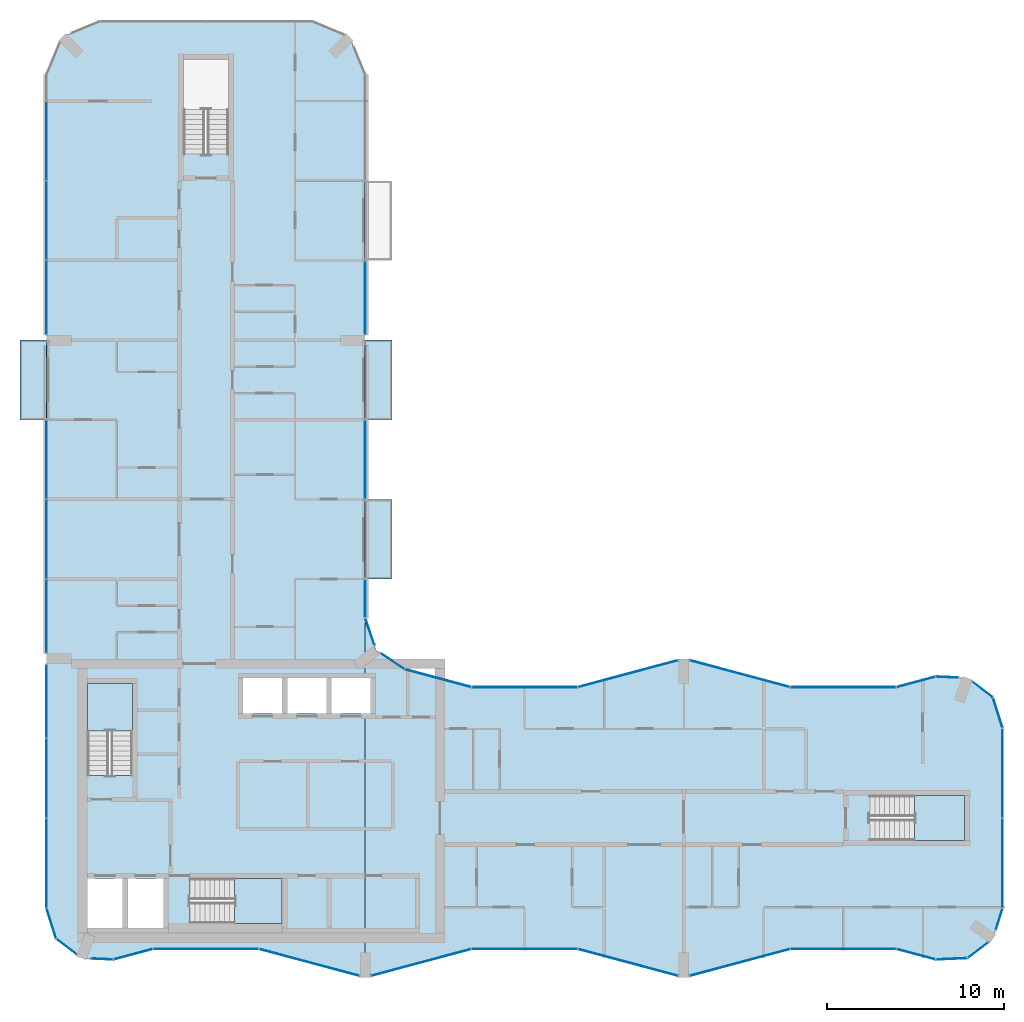
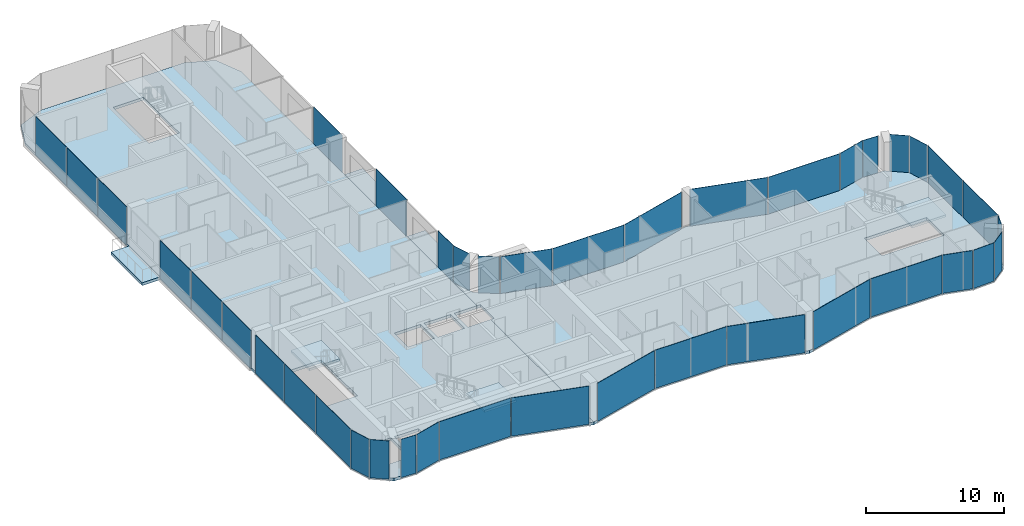
# One storey, part 8 of 15: 40 plates, 8 slabs, 36 elements without a shape of their own.
"""IFC4 building model written with IfcOpenShell, lengths in metres."""

from ifc_helpers import new_model, si_unit, direction, frame, origin, origin_2d, place, context, subcontext, project, spatial, polyline, rectangle, outline, extrude, material, layer, layer_set, type_object, element, aggregate, save


model = new_model("IFC4")

# Units and contexts
model_context = context("Model", 3, precision=1e-05, world=origin(), true_north=direction((0.0, 1.0)))
body_context = subcontext(model_context, "Body", "Model", "MODEL_VIEW")
ifc_project = project(units=[si_unit("LENGTHUNIT", "METRE"), si_unit("AREAUNIT", "SQUARE_METRE"), si_unit("VOLUMEUNIT", "CUBIC_METRE"), si_unit("PLANEANGLEUNIT", "RADIAN"), si_unit("MASSUNIT", "GRAM", prefix="KILO")], contexts=[model_context])

# Site, building, storey
site_placement = place(None, origin())
site = spatial("IfcSite", under=ifc_project, at=site_placement, CompositionType="ELEMENT")
building_placement = place(site_placement, origin())
building = spatial("IfcBuilding", under=site, at=building_placement, Name="Plateau Cross Towers", CompositionType="ELEMENT")
storey_placement = place(building_placement, frame((0.0, 0.0, 201.39990234375)))
storey = spatial("IfcBuildingStorey", under=building, at=storey_placement, Name="L52", CompositionType="ELEMENT", Elevation=201.39990234375)

# Slabs
ifc_material_1 = material(Name="Concrete C40/50", Category="concrete")
ifc_layer_1 = layer(ifc_material_1, 0.25)
ifc_layer_set_1 = layer_set([ifc_layer_1], Name="Concrete C40/50")
slab_type_1 = type_object("IfcSlabType", Name="Balcony slab 250", PredefinedType="FLOOR", material=ifc_layer_set_1)
slab_1_placement = place(storey_placement, frame((0.0, 0.0, -0.25)))
element("IfcSlab", 1, at=slab_1_placement, inside=storey, type_object=slab_type_1, Name="Balcony slab A-BAL-L52-01", PredefinedType="FLOOR", context=body_context, shape_type="SweptSolid", body=[
    extrude(outline(polyline([(0.0, 31.5), (0.0, 36.0), (-1.5, 36.0), (-1.5, 31.5), (0.0, 31.5)])), origin(), (0.0, 0.0, 1.0), 0.25),
])
slab_2_placement = place(storey_placement, frame((0.0, 0.0, -0.25)))
element("IfcSlab", 2, at=slab_2_placement, inside=storey, type_object=slab_type_1, Name="Balcony slab A-BAL-L52-02", PredefinedType="FLOOR", context=body_context, shape_type="SweptSolid", body=[
    extrude(outline(polyline([(19.5, 22.5), (19.5, 27.0), (18.0, 27.0), (18.0, 22.5), (19.5, 22.5)])), origin(), (0.0, 0.0, 1.0), 0.25),
])
slab_3_placement = place(storey_placement, frame((0.0, 0.0, -0.25)))
element("IfcSlab", 3, at=slab_3_placement, inside=storey, type_object=slab_type_1, Name="Balcony slab A-BAL-L52-03", PredefinedType="FLOOR", context=body_context, shape_type="SweptSolid", body=[
    extrude(outline(polyline([(19.5, 31.5), (19.5, 36.0), (18.0, 36.0), (18.0, 31.5), (19.5, 31.5)])), origin(), (0.0, 0.0, 1.0), 0.25),
])

# Curtain wall, plate
ifc_material_2 = material(Name="Dark low-iron glass", Category="glass")
ifc_layer_2 = layer(ifc_material_2, 0.239990234375)
ifc_layer_set_2 = layer_set([ifc_layer_2], Name="Dark low-iron glass")
curtain_wall_type_1 = type_object("IfcCurtainWallType", Name="Curtain wall flush unitised CW-B", PredefinedType="NOTDEFINED", material=ifc_layer_set_2)
curtain_wall_1_placement = place(storey_placement, origin())
curtain_wall_1 = element("IfcCurtainWall", 4, at=curtain_wall_1_placement, inside=storey, type_object=curtain_wall_type_1, Name="ENV/A/L52/A502_10", PredefinedType="NOTDEFINED")
ifc_layer_3 = layer(ifc_material_2, 0.031982421875)
ifc_layer_set_3 = layer_set([ifc_layer_3], Name="Dark low-iron glass")
plate_type_1 = type_object("IfcPlateType", Name="Glass panel 32 flush unitised", PredefinedType="CURTAIN_PANEL", material=ifc_layer_set_3)
plate_1_placement = place(storey_placement, frame((51.125, 1.05078125, -0.1298828125), z_axis=(0.0, 0.0, 1.0), x_axis=(0.999043701491, 0.043722791671, 0.0)))
plate_1 = element("IfcPlate", 5, at=plate_1_placement, type_object=plate_type_1, Name="CW-B panel 1", PredefinedType="CURTAIN_PANEL", context=body_context, shape_type="SweptSolid", body=[
    extrude(rectangle(XDim=1.744140625, YDim=0.031982421875, at=origin_2d()), origin(), (0.0, 0.0, 1.0), 3.3798828125),
])
aggregate(curtain_wall_1, [plate_1])

curtain_wall_2_placement = place(storey_placement, origin())
curtain_wall_2 = element("IfcCurtainWall", 6, at=curtain_wall_2_placement, inside=storey, type_object=curtain_wall_type_1, Name="ENV/A/L52/A520_11", PredefinedType="NOTDEFINED")
plate_2_placement = place(storey_placement, frame((52.60986328125, 1.5380859375, -0.1298828125), z_axis=(0.0, 0.0, 1.0), x_axis=(0.793315514529, 0.608810721331, 0.0)))
plate_2 = element("IfcPlate", 7, at=plate_2_placement, type_object=plate_type_1, Name="CW-B panel 1", PredefinedType="CURTAIN_PANEL", context=body_context, shape_type="SweptSolid", body=[
    extrude(rectangle(XDim=1.41162109375, YDim=0.031982421875, at=origin_2d()), origin(), (0.0, 0.0, 1.0), 3.3798828125),
])
aggregate(curtain_wall_2, [plate_2])

curtain_wall_3_placement = place(storey_placement, origin())
curtain_wall_3 = element("IfcCurtainWall", 8, at=curtain_wall_3_placement, inside=storey, type_object=curtain_wall_type_1, Name="ENV/A/L52/A536_27", PredefinedType="NOTDEFINED")
plate_3_placement = place(storey_placement, frame((53.805419921875, 3.292236328125, -0.1298828125), z_axis=(0.0, 0.0, 1.0), x_axis=(0.300686174994, 0.95372313811, 0.0)))
plate_3 = element("IfcPlate", 9, at=plate_3_placement, type_object=plate_type_1, Name="CW-B panel 1", PredefinedType="CURTAIN_PANEL", context=body_context, shape_type="SweptSolid", body=[
    extrude(rectangle(XDim=1.233642578125, YDim=0.031982421875, at=origin_2d()), origin(), (0.0, 0.0, 1.0), 3.3798828125),
])
aggregate(curtain_wall_3, [plate_3])

# Curtain wall, plates
curtain_wall_4_placement = place(storey_placement, origin())
curtain_wall_4 = element("IfcCurtainWall", 10, at=curtain_wall_4_placement, inside=storey, type_object=curtain_wall_type_1, Name="ENV/A/L52/A540_39", PredefinedType="NOTDEFINED")
plate_4_placement = place(storey_placement, frame((54.0, 6.45458984375, -0.1298828125), z_axis=(0.0, 0.0, 1.0), x_axis=(0.0, 1.0, 0.0)))
plate_4 = element("IfcPlate", 11, at=plate_4_placement, type_object=plate_type_1, Name="CW-B panel 1", PredefinedType="CURTAIN_PANEL", context=body_context, shape_type="SweptSolid", body=[
    extrude(rectangle(XDim=5.03076171875, YDim=0.031982421875, at=origin_2d()), origin(), (0.0, 0.0, 1.0), 3.3798828125),
])
plate_5_placement = place(storey_placement, frame((54.0, 11.54541015625, -0.1298828125), z_axis=(0.0, 0.0, 1.0), x_axis=(0.0, 1.0, 0.0)))
plate_5 = element("IfcPlate", 12, at=plate_5_placement, type_object=plate_type_1, Name="CW-B panel 2", PredefinedType="CURTAIN_PANEL", context=body_context, shape_type="SweptSolid", body=[
    extrude(rectangle(XDim=5.03076171875, YDim=0.031982421875, at=origin_2d()), origin(), (0.0, 0.0, 1.0), 3.3798828125),
])
aggregate(curtain_wall_4, [plate_4, plate_5])

# Curtain wall, plate
curtain_wall_5_placement = place(storey_placement, origin())
curtain_wall_5 = element("IfcCurtainWall", 13, at=curtain_wall_5_placement, inside=storey, type_object=curtain_wall_type_1, Name="ENV/A/L52/A540_141", PredefinedType="NOTDEFINED")
plate_6_placement = place(storey_placement, frame((53.728759765625, 14.951171875, -0.1298828125), z_axis=(0.0, 0.0, 1.0), x_axis=(-0.300686174994, 0.95372313811, 0.0)))
plate_6 = element("IfcPlate", 14, at=plate_6_placement, type_object=plate_type_1, Name="CW-B panel 1", PredefinedType="CURTAIN_PANEL", context=body_context, shape_type="SweptSolid", body=[
    extrude(rectangle(XDim=1.744140625, YDim=0.031982421875, at=origin_2d()), origin(), (0.0, 0.0, 1.0), 3.3798828125),
])
aggregate(curtain_wall_5, [plate_6])

curtain_wall_6_placement = place(storey_placement, origin())
curtain_wall_6 = element("IfcCurtainWall", 15, at=curtain_wall_6_placement, inside=storey, type_object=curtain_wall_type_1, Name="ENV/A/L52/A535_158", PredefinedType="NOTDEFINED")
plate_7_placement = place(storey_placement, frame((52.873779296875, 16.25927734375, -0.1298828125), z_axis=(0.0, 0.0, 1.0), x_axis=(-0.793315514529, 0.608810721331, 0.0)))
plate_7 = element("IfcPlate", 16, at=plate_7_placement, type_object=plate_type_1, Name="CW-B panel 1", PredefinedType="CURTAIN_PANEL", context=body_context, shape_type="SweptSolid", body=[
    extrude(rectangle(XDim=1.41162109375, YDim=0.031982421875, at=origin_2d()), origin(), (0.0, 0.0, 1.0), 3.3798828125),
])
aggregate(curtain_wall_6, [plate_7])

curtain_wall_7_placement = place(storey_placement, origin())
curtain_wall_7 = element("IfcCurtainWall", 17, at=curtain_wall_7_placement, inside=storey, type_object=curtain_wall_type_1, Name="ENV/A/L52/A515_169", PredefinedType="NOTDEFINED")
plate_8_placement = place(storey_placement, frame((50.8701171875, 16.96044921875, -0.1298828125), z_axis=(0.0, 0.0, 1.0), x_axis=(-0.999043701491, 0.043722791671, 0.0)))
plate_8 = element("IfcPlate", 18, at=plate_8_placement, type_object=plate_type_1, Name="CW-B panel 1", PredefinedType="CURTAIN_PANEL", context=body_context, shape_type="SweptSolid", body=[
    extrude(rectangle(XDim=1.233642578125, YDim=0.031982421875, at=origin_2d()), origin(), (0.0, 0.0, 1.0), 3.3798828125),
])
aggregate(curtain_wall_7, [plate_8])

curtain_wall_8_placement = place(storey_placement, origin())
curtain_wall_8 = element("IfcCurtainWall", 19, at=curtain_wall_8_placement, inside=storey, type_object=curtain_wall_type_1, Name="ENV/A/L52/A202_174", PredefinedType="NOTDEFINED")
plate_9_placement = place(storey_placement, frame((19.546630859375, 17.856689453125, -0.1298828125), z_axis=(0.0, 0.0, 1.0), x_axis=(-0.831521253329, 0.555492938984, 0.0)))
plate_9 = element("IfcPlate", 20, at=plate_9_placement, type_object=plate_type_1, Name="CW-B panel 1", PredefinedType="CURTAIN_PANEL", context=body_context, shape_type="SweptSolid", body=[
    extrude(rectangle(XDim=1.56884765625, YDim=0.031982421875, at=origin_2d()), origin(), (0.0, 0.0, 1.0), 3.3798828125),
])
aggregate(curtain_wall_8, [plate_9])

curtain_wall_9_placement = place(storey_placement, origin())
curtain_wall_9 = element("IfcCurtainWall", 21, at=curtain_wall_9_placement, inside=storey, type_object=curtain_wall_type_1, Name="ENV/A/L52/A185_188", PredefinedType="NOTDEFINED")
plate_10_placement = place(storey_placement, frame((18.26171875, 19.531005859375, -0.1298828125), z_axis=(0.0, 0.0, 1.0), x_axis=(-0.321469161574, 0.94692004845, 0.0)))
plate_10 = element("IfcPlate", 22, at=plate_10_placement, type_object=plate_type_1, Name="CW-B panel 1", PredefinedType="CURTAIN_PANEL", context=body_context, shape_type="SweptSolid", body=[
    extrude(rectangle(XDim=1.56884765625, YDim=0.031982421875, at=origin_2d()), origin(), (0.0, 0.0, 1.0), 3.3798828125),
])
aggregate(curtain_wall_9, [plate_10])

curtain_wall_10_placement = place(storey_placement, origin())
curtain_wall_10 = element("IfcCurtainWall", 23, at=curtain_wall_10_placement, inside=storey, type_object=curtain_wall_type_1, Name="ENV/A/L52/A180_203", PredefinedType="NOTDEFINED")
plate_11_placement = place(storey_placement, frame((18.0, 21.396240234375, -0.1298828125), z_axis=(0.0, 0.0, 1.0), x_axis=(0.0, 1.0, 0.0)))
plate_11 = element("IfcPlate", 24, at=plate_11_placement, type_object=plate_type_1, Name="CW-B panel 1", PredefinedType="CURTAIN_PANEL", context=body_context, shape_type="SweptSolid", body=[
    extrude(rectangle(XDim=2.127685546875, YDim=0.031982421875, at=origin_2d()), origin(), (0.0, 0.0, 1.0), 3.3798828125),
])
aggregate(curtain_wall_10, [plate_11])

curtain_wall_11_placement = place(storey_placement, origin())
curtain_wall_11 = element("IfcCurtainWall", 25, at=curtain_wall_11_placement, inside=storey, type_object=curtain_wall_type_1, Name="ENV/A/L52/A180_270", PredefinedType="NOTDEFINED")
plate_12_placement = place(storey_placement, frame((18.0, 29.25, -0.1298828125), z_axis=(0.0, 0.0, 1.0), x_axis=(0.0, 1.0, 0.0)))
plate_12 = element("IfcPlate", 26, at=plate_12_placement, type_object=plate_type_1, Name="CW-B panel 1", PredefinedType="CURTAIN_PANEL", context=body_context, shape_type="SweptSolid", body=[
    extrude(rectangle(XDim=4.419921875, YDim=0.031982421875, at=origin_2d()), origin(), (0.0, 0.0, 1.0), 3.3798828125),
])
aggregate(curtain_wall_11, [plate_12])

curtain_wall_12_placement = place(storey_placement, origin())
curtain_wall_12 = element("IfcCurtainWall", 27, at=curtain_wall_12_placement, inside=storey, type_object=curtain_wall_type_1, Name="ENV/A/L52/A180_363", PredefinedType="NOTDEFINED")
plate_13_placement = place(storey_placement, frame((18.0, 38.39501953125, -0.1298828125), z_axis=(0.0, 0.0, 1.0), x_axis=(0.0, 1.0, 0.0)))
plate_13 = element("IfcPlate", 28, at=plate_13_placement, type_object=plate_type_1, Name="CW-B panel 1", PredefinedType="CURTAIN_PANEL", context=body_context, shape_type="SweptSolid", body=[
    extrude(rectangle(XDim=4.1298828125, YDim=0.031982421875, at=origin_2d()), origin(), (0.0, 0.0, 1.0), 3.3798828125),
])
aggregate(curtain_wall_12, [plate_13])

# Curtain wall, plates
curtain_wall_13_placement = place(storey_placement, origin())
curtain_wall_13 = element("IfcCurtainWall", 29, at=curtain_wall_13_placement, inside=storey, type_object=curtain_wall_type_1, Name="ENV/A/L52/A0_510", PredefinedType="NOTDEFINED")
plate_14_placement = place(storey_placement, frame((0.0, 47.25, -0.1298828125), z_axis=(0.0, 0.0, 1.0), x_axis=(0.0, -1.0, 0.0)))
plate_14 = element("IfcPlate", 30, at=plate_14_placement, type_object=plate_type_1, Name="CW-B panel 2", PredefinedType="CURTAIN_PANEL", context=body_context, shape_type="SweptSolid", body=[
    extrude(rectangle(XDim=4.43994140625, YDim=0.031982421875, at=origin_2d()), origin(), (0.0, 0.0, 1.0), 3.3798828125),
])
plate_15_placement = place(storey_placement, frame((0.0, 42.75, -0.1298828125), z_axis=(0.0, 0.0, 1.0), x_axis=(0.0, -1.0, 0.0)))
plate_15 = element("IfcPlate", 31, at=plate_15_placement, type_object=plate_type_1, Name="CW-B panel 3", PredefinedType="CURTAIN_PANEL", context=body_context, shape_type="SweptSolid", body=[
    extrude(rectangle(XDim=4.43994140625, YDim=0.031982421875, at=origin_2d()), origin(), (0.0, 0.0, 1.0), 3.3798828125),
])
plate_16_placement = place(storey_placement, frame((0.0, 38.39990234375, -0.1298828125), z_axis=(0.0, 0.0, 1.0), x_axis=(0.0, -1.0, 0.0)))
plate_16 = element("IfcPlate", 32, at=plate_16_placement, type_object=plate_type_1, Name="CW-B panel 4", PredefinedType="CURTAIN_PANEL", context=body_context, shape_type="SweptSolid", body=[
    extrude(rectangle(XDim=4.139892578125, YDim=0.031982421875, at=origin_2d()), origin(), (0.0, 0.0, 1.0), 3.3798828125),
])
aggregate(curtain_wall_13, [plate_14, plate_15, plate_16])

curtain_wall_14_placement = place(storey_placement, origin())
curtain_wall_14 = element("IfcCurtainWall", 33, at=curtain_wall_14_placement, inside=storey, type_object=curtain_wall_type_1, Name="ENV/A/L52/A0_315", PredefinedType="NOTDEFINED")
plate_17_placement = place(storey_placement, frame((0.0, 29.2451171875, -0.1298828125), z_axis=(0.0, 0.0, 1.0), x_axis=(0.0, -1.0, 0.0)))
plate_17 = element("IfcPlate", 34, at=plate_17_placement, type_object=plate_type_1, Name="CW-B panel 1", PredefinedType="CURTAIN_PANEL", context=body_context, shape_type="SweptSolid", body=[
    extrude(rectangle(XDim=4.429931640625, YDim=0.031982421875, at=origin_2d()), origin(), (0.0, 0.0, 1.0), 3.3798828125),
])
plate_18_placement = place(storey_placement, frame((0.0, 24.75, -0.1298828125), z_axis=(0.0, 0.0, 1.0), x_axis=(0.0, -1.0, 0.0)))
plate_18 = element("IfcPlate", 35, at=plate_18_placement, type_object=plate_type_1, Name="CW-B panel 2", PredefinedType="CURTAIN_PANEL", context=body_context, shape_type="SweptSolid", body=[
    extrude(rectangle(XDim=4.43994140625, YDim=0.031982421875, at=origin_2d()), origin(), (0.0, 0.0, 1.0), 3.3798828125),
])
plate_19_placement = place(storey_placement, frame((0.0, 20.39990234375, -0.1298828125), z_axis=(0.0, 0.0, 1.0), x_axis=(0.0, -1.0, 0.0)))
plate_19 = element("IfcPlate", 36, at=plate_19_placement, type_object=plate_type_1, Name="CW-B panel 3", PredefinedType="CURTAIN_PANEL", context=body_context, shape_type="SweptSolid", body=[
    extrude(rectangle(XDim=4.139892578125, YDim=0.031982421875, at=origin_2d()), origin(), (0.0, 0.0, 1.0), 3.3798828125),
])
aggregate(curtain_wall_14, [plate_17, plate_18, plate_19])

curtain_wall_15_placement = place(storey_placement, origin())
curtain_wall_15 = element("IfcCurtainWall", 37, at=curtain_wall_15_placement, inside=storey, type_object=curtain_wall_type_1, Name="ENV/A/L52/A0_177", PredefinedType="NOTDEFINED")
plate_20_placement = place(storey_placement, frame((0.0, 15.60009765625, -0.1298828125), z_axis=(0.0, 0.0, 1.0), x_axis=(0.0, -1.0, 0.0)))
plate_20 = element("IfcPlate", 38, at=plate_20_placement, type_object=plate_type_1, Name="CW-B panel 1", PredefinedType="CURTAIN_PANEL", context=body_context, shape_type="SweptSolid", body=[
    extrude(rectangle(XDim=4.139892578125, YDim=0.031982421875, at=origin_2d()), origin(), (0.0, 0.0, 1.0), 3.3798828125),
])
plate_21_placement = place(storey_placement, frame((0.0, 11.25, -0.1298828125), z_axis=(0.0, 0.0, 1.0), x_axis=(0.0, -1.0, 0.0)))
plate_21 = element("IfcPlate", 39, at=plate_21_placement, type_object=plate_type_1, Name="CW-B panel 2", PredefinedType="CURTAIN_PANEL", context=body_context, shape_type="SweptSolid", body=[
    extrude(rectangle(XDim=4.43994140625, YDim=0.031982421875, at=origin_2d()), origin(), (0.0, 0.0, 1.0), 3.3798828125),
])
plate_22_placement = place(storey_placement, frame((0.0, 6.45458984375, -0.1298828125), z_axis=(0.0, 0.0, 1.0), x_axis=(0.0, -1.0, 0.0)))
plate_22 = element("IfcPlate", 40, at=plate_22_placement, type_object=plate_type_1, Name="CW-B panel 3", PredefinedType="CURTAIN_PANEL", context=body_context, shape_type="SweptSolid", body=[
    extrude(rectangle(XDim=5.03076171875, YDim=0.031982421875, at=origin_2d()), origin(), (0.0, 0.0, 1.0), 3.3798828125),
])
aggregate(curtain_wall_15, [plate_20, plate_21, plate_22])

# Curtain wall, plate
curtain_wall_16_placement = place(storey_placement, origin())
curtain_wall_16 = element("IfcCurtainWall", 41, at=curtain_wall_16_placement, inside=storey, type_object=curtain_wall_type_1, Name="ENV/A/L52/A0_39", PredefinedType="NOTDEFINED")
plate_23_placement = place(storey_placement, frame((0.271240234375, 3.048828125, -0.1298828125), z_axis=(0.0, 0.0, 1.0), x_axis=(0.300686174994, -0.95372313811, 0.0)))
plate_23 = element("IfcPlate", 42, at=plate_23_placement, type_object=plate_type_1, Name="CW-B panel 1", PredefinedType="CURTAIN_PANEL", context=body_context, shape_type="SweptSolid", body=[
    extrude(rectangle(XDim=1.744140625, YDim=0.031982421875, at=origin_2d()), origin(), (0.0, 0.0, 1.0), 3.3798828125),
])
aggregate(curtain_wall_16, [plate_23])

curtain_wall_17_placement = place(storey_placement, origin())
curtain_wall_17 = element("IfcCurtainWall", 43, at=curtain_wall_17_placement, inside=storey, type_object=curtain_wall_type_1, Name="ENV/A/L52/A5_22", PredefinedType="NOTDEFINED")
plate_24_placement = place(storey_placement, frame((1.126220703125, 1.74072265625, -0.1298828125), z_axis=(0.0, 0.0, 1.0), x_axis=(0.793315514529, -0.608810721331, 0.0)))
plate_24 = element("IfcPlate", 44, at=plate_24_placement, type_object=plate_type_1, Name="CW-B panel 1", PredefinedType="CURTAIN_PANEL", context=body_context, shape_type="SweptSolid", body=[
    extrude(rectangle(XDim=1.41162109375, YDim=0.031982421875, at=origin_2d()), origin(), (0.0, 0.0, 1.0), 3.3798828125),
])
aggregate(curtain_wall_17, [plate_24])

curtain_wall_18_placement = place(storey_placement, origin())
curtain_wall_18 = element("IfcCurtainWall", 45, at=curtain_wall_18_placement, inside=storey, type_object=curtain_wall_type_1, Name="ENV/A/L52/A25_11", PredefinedType="NOTDEFINED")
plate_25_placement = place(storey_placement, frame((3.1298828125, 1.03955078125, -0.1298828125), z_axis=(0.0, 0.0, 1.0), x_axis=(0.999043701491, -0.043722791671, 0.0)))
plate_25 = element("IfcPlate", 46, at=plate_25_placement, type_object=plate_type_1, Name="CW-B panel 1", PredefinedType="CURTAIN_PANEL", context=body_context, shape_type="SweptSolid", body=[
    extrude(rectangle(XDim=1.233642578125, YDim=0.031982421875, at=origin_2d()), origin(), (0.0, 0.0, 1.0), 3.3798828125),
])
aggregate(curtain_wall_18, [plate_25])

ifc_layer_4 = layer(ifc_material_2, 0.260009765625)
ifc_layer_set_4 = layer_set([ifc_layer_4], Name="Dark low-iron glass")
curtain_wall_type_2 = type_object("IfcCurtainWallType", Name="Curtain wall fluted unitised CW-A", PredefinedType="NOTDEFINED", material=ifc_layer_set_4)
curtain_wall_19_placement = place(storey_placement, origin())
curtain_wall_19 = element("IfcCurtainWall", 47, at=curtain_wall_19_placement, inside=storey, type_object=curtain_wall_type_2, Name="ENV/A/L52/A38_10", PredefinedType="NOTDEFINED")
ifc_layer_5 = layer(ifc_material_2, 0.035888671875)
ifc_layer_set_5 = layer_set([ifc_layer_5], Name="Dark low-iron glass")
plate_type_2 = type_object("IfcPlateType", Name="Glass panel 36 fluted unitised", PredefinedType="CURTAIN_PANEL", material=ifc_layer_set_5)
plate_26_placement = place(storey_placement, frame((4.887939453125, 1.30908203125, -0.1298828125), z_axis=(0.0, 0.0, 1.0), x_axis=(0.965957962328, 0.258699081978, 0.0)))
plate_26 = element("IfcPlate", 48, at=plate_26_placement, type_object=plate_type_2, Name="CW-A panel 1", PredefinedType="CURTAIN_PANEL", context=body_context, shape_type="SweptSolid", body=[
    extrude(rectangle(XDim=2.2421875, YDim=0.035888671875, at=origin_2d()), origin(), (0.0, 0.0, 1.0), 3.3798828125),
])
aggregate(curtain_wall_19, [plate_26])

curtain_wall_20_placement = place(storey_placement, origin())
curtain_wall_20 = element("IfcCurtainWall", 49, at=curtain_wall_20_placement, inside=storey, type_object=curtain_wall_type_2, Name="ENV/A/L52/A60_16", PredefinedType="NOTDEFINED")
plate_27_placement = place(storey_placement, frame((9.0, 1.60693359375, -0.1298828125), z_axis=(0.0, 0.0, 1.0), x_axis=(1.0, 0.0, 0.0)))
plate_27 = element("IfcPlate", 50, at=plate_27_placement, type_object=plate_type_2, Name="CW-A panel 1", PredefinedType="CURTAIN_PANEL", context=body_context, shape_type="SweptSolid", body=[
    extrude(rectangle(XDim=5.93994140625, YDim=0.035888671875, at=origin_2d()), origin(), (0.0, 0.0, 1.0), 3.3798828125),
])
aggregate(curtain_wall_20, [plate_27])

curtain_wall_21_placement = place(storey_placement, origin())
curtain_wall_21 = element("IfcCurtainWall", 51, at=curtain_wall_21_placement, inside=storey, type_object=curtain_wall_type_2, Name="ENV/A/L52/A120_16", PredefinedType="NOTDEFINED")
plate_28_placement = place(storey_placement, frame((14.841064453125, 0.845947265625, -0.1298828125), z_axis=(0.0, 0.0, 1.0), x_axis=(0.965957983404, -0.258699003279, 0.0)))
plate_28 = element("IfcPlate", 52, at=plate_28_placement, type_object=plate_type_2, Name="CW-A panel 1", PredefinedType="CURTAIN_PANEL", context=body_context, shape_type="SweptSolid", body=[
    extrude(rectangle(XDim=5.822265625, YDim=0.035888671875, at=origin_2d()), origin(), (0.0, 0.0, 1.0), 3.3798828125),
])
aggregate(curtain_wall_21, [plate_28])

curtain_wall_22_placement = place(storey_placement, origin())
curtain_wall_22 = element("IfcCurtainWall", 53, at=curtain_wall_22_placement, inside=storey, type_object=curtain_wall_type_2, Name="ENV/A/L52/A183_1", PredefinedType="NOTDEFINED")
plate_29_placement = place(storey_placement, frame((21.158935546875, 0.845947265625, -0.1298828125), z_axis=(0.0, 0.0, 1.0), x_axis=(0.965957983404, 0.258699003279, 0.0)))
plate_29 = element("IfcPlate", 54, at=plate_29_placement, type_object=plate_type_2, Name="CW-A panel 1", PredefinedType="CURTAIN_PANEL", context=body_context, shape_type="SweptSolid", body=[
    extrude(rectangle(XDim=5.822265625, YDim=0.035888671875, at=origin_2d()), origin(), (0.0, 0.0, 1.0), 3.3798828125),
])
aggregate(curtain_wall_22, [plate_29])

curtain_wall_23_placement = place(storey_placement, origin())
curtain_wall_23 = element("IfcCurtainWall", 55, at=curtain_wall_23_placement, inside=storey, type_object=curtain_wall_type_2, Name="ENV/A/L52/A240_16", PredefinedType="NOTDEFINED")
plate_30_placement = place(storey_placement, frame((27.0, 1.60693359375, -0.1298828125), z_axis=(0.0, 0.0, 1.0), x_axis=(1.0, 0.0, 0.0)))
plate_30 = element("IfcPlate", 56, at=plate_30_placement, type_object=plate_type_2, Name="CW-A panel 1", PredefinedType="CURTAIN_PANEL", context=body_context, shape_type="SweptSolid", body=[
    extrude(rectangle(XDim=5.93994140625, YDim=0.035888671875, at=origin_2d()), origin(), (0.0, 0.0, 1.0), 3.3798828125),
])
aggregate(curtain_wall_23, [plate_30])

curtain_wall_24_placement = place(storey_placement, origin())
curtain_wall_24 = element("IfcCurtainWall", 57, at=curtain_wall_24_placement, inside=storey, type_object=curtain_wall_type_2, Name="ENV/A/L52/A300_16", PredefinedType="NOTDEFINED")
plate_31_placement = place(storey_placement, frame((32.841064453125, 0.845947265625, -0.1298828125), z_axis=(0.0, 0.0, 1.0), x_axis=(0.965957983404, -0.258699003279, 0.0)))
plate_31 = element("IfcPlate", 58, at=plate_31_placement, type_object=plate_type_2, Name="CW-A panel 1", PredefinedType="CURTAIN_PANEL", context=body_context, shape_type="SweptSolid", body=[
    extrude(rectangle(XDim=5.822265625, YDim=0.035888671875, at=origin_2d()), origin(), (0.0, 0.0, 1.0), 3.3798828125),
])
aggregate(curtain_wall_24, [plate_31])

curtain_wall_25_placement = place(storey_placement, origin())
curtain_wall_25 = element("IfcCurtainWall", 59, at=curtain_wall_25_placement, inside=storey, type_object=curtain_wall_type_2, Name="ENV/A/L52/A363_1", PredefinedType="NOTDEFINED")
plate_32_placement = place(storey_placement, frame((39.158935546875, 0.845947265625, -0.1298828125), z_axis=(0.0, 0.0, 1.0), x_axis=(0.965957983404, 0.258699003279, 0.0)))
plate_32 = element("IfcPlate", 60, at=plate_32_placement, type_object=plate_type_2, Name="CW-A panel 1", PredefinedType="CURTAIN_PANEL", context=body_context, shape_type="SweptSolid", body=[
    extrude(rectangle(XDim=5.822265625, YDim=0.035888671875, at=origin_2d()), origin(), (0.0, 0.0, 1.0), 3.3798828125),
])
aggregate(curtain_wall_25, [plate_32])

curtain_wall_26_placement = place(storey_placement, origin())
curtain_wall_26 = element("IfcCurtainWall", 61, at=curtain_wall_26_placement, inside=storey, type_object=curtain_wall_type_2, Name="ENV/A/L52/A420_16", PredefinedType="NOTDEFINED")
plate_33_placement = place(storey_placement, frame((45.0, 1.60693359375, -0.1298828125), z_axis=(0.0, 0.0, 1.0), x_axis=(1.0, 0.0, 0.0)))
plate_33 = element("IfcPlate", 62, at=plate_33_placement, type_object=plate_type_2, Name="CW-A panel 1", PredefinedType="CURTAIN_PANEL", context=body_context, shape_type="SweptSolid", body=[
    extrude(rectangle(XDim=5.93994140625, YDim=0.035888671875, at=origin_2d()), origin(), (0.0, 0.0, 1.0), 3.3798828125),
])
aggregate(curtain_wall_26, [plate_33])

curtain_wall_27_placement = place(storey_placement, origin())
curtain_wall_27 = element("IfcCurtainWall", 63, at=curtain_wall_27_placement, inside=storey, type_object=curtain_wall_type_2, Name="ENV/A/L52/A480_16", PredefinedType="NOTDEFINED")
plate_34_placement = place(storey_placement, frame((49.112060546875, 1.30908203125, -0.1298828125), z_axis=(0.0, 0.0, 1.0), x_axis=(0.965957962328, -0.258699081978, 0.0)))
plate_34 = element("IfcPlate", 64, at=plate_34_placement, type_object=plate_type_2, Name="CW-A panel 1", PredefinedType="CURTAIN_PANEL", context=body_context, shape_type="SweptSolid", body=[
    extrude(rectangle(XDim=2.2421875, YDim=0.035888671875, at=origin_2d()), origin(), (0.0, 0.0, 1.0), 3.3798828125),
])
aggregate(curtain_wall_27, [plate_34])

curtain_wall_28_placement = place(storey_placement, origin())
curtain_wall_28 = element("IfcCurtainWall", 65, at=curtain_wall_28_placement, inside=storey, type_object=curtain_wall_type_2, Name="ENV/A/L52/A502_170", PredefinedType="NOTDEFINED")
plate_35_placement = place(storey_placement, frame((49.112060546875, 16.69091796875, -0.1298828125), z_axis=(0.0, 0.0, 1.0), x_axis=(-0.965957962328, -0.258699081978, 0.0)))
plate_35 = element("IfcPlate", 66, at=plate_35_placement, type_object=plate_type_2, Name="CW-A panel 1", PredefinedType="CURTAIN_PANEL", context=body_context, shape_type="SweptSolid", body=[
    extrude(rectangle(XDim=2.2421875, YDim=0.035888671875, at=origin_2d()), origin(), (0.0, 0.0, 1.0), 3.3798828125),
])
aggregate(curtain_wall_28, [plate_35])

curtain_wall_29_placement = place(storey_placement, origin())
curtain_wall_29 = element("IfcCurtainWall", 67, at=curtain_wall_29_placement, inside=storey, type_object=curtain_wall_type_2, Name="ENV/A/L52/A480_164", PredefinedType="NOTDEFINED")
plate_36_placement = place(storey_placement, frame((45.0, 16.39306640625, -0.1298828125), z_axis=(0.0, 0.0, 1.0), x_axis=(-1.0, 0.0, 0.0)))
plate_36 = element("IfcPlate", 68, at=plate_36_placement, type_object=plate_type_2, Name="CW-A panel 1", PredefinedType="CURTAIN_PANEL", context=body_context, shape_type="SweptSolid", body=[
    extrude(rectangle(XDim=5.93994140625, YDim=0.035888671875, at=origin_2d()), origin(), (0.0, 0.0, 1.0), 3.3798828125),
])
aggregate(curtain_wall_29, [plate_36])

curtain_wall_30_placement = place(storey_placement, origin())
curtain_wall_30 = element("IfcCurtainWall", 69, at=curtain_wall_30_placement, inside=storey, type_object=curtain_wall_type_2, Name="ENV/A/L52/A420_164", PredefinedType="NOTDEFINED")
plate_37_placement = place(storey_placement, frame((39.158935546875, 17.154052734375, -0.1298828125), z_axis=(0.0, 0.0, 1.0), x_axis=(-0.965957983404, 0.258699003279, 0.0)))
plate_37 = element("IfcPlate", 70, at=plate_37_placement, type_object=plate_type_2, Name="CW-A panel 1", PredefinedType="CURTAIN_PANEL", context=body_context, shape_type="SweptSolid", body=[
    extrude(rectangle(XDim=5.822265625, YDim=0.035888671875, at=origin_2d()), origin(), (0.0, 0.0, 1.0), 3.3798828125),
])
aggregate(curtain_wall_30, [plate_37])

curtain_wall_31_placement = place(storey_placement, origin())
curtain_wall_31 = element("IfcCurtainWall", 71, at=curtain_wall_31_placement, inside=storey, type_object=curtain_wall_type_2, Name="ENV/A/L52/A357_179", PredefinedType="NOTDEFINED")
plate_38_placement = place(storey_placement, frame((32.841064453125, 17.154052734375, -0.1298828125), z_axis=(0.0, 0.0, 1.0), x_axis=(-0.965957983404, -0.258699003279, 0.0)))
plate_38 = element("IfcPlate", 72, at=plate_38_placement, type_object=plate_type_2, Name="CW-A panel 1", PredefinedType="CURTAIN_PANEL", context=body_context, shape_type="SweptSolid", body=[
    extrude(rectangle(XDim=5.822265625, YDim=0.035888671875, at=origin_2d()), origin(), (0.0, 0.0, 1.0), 3.3798828125),
])
aggregate(curtain_wall_31, [plate_38])

curtain_wall_32_placement = place(storey_placement, origin())
curtain_wall_32 = element("IfcCurtainWall", 73, at=curtain_wall_32_placement, inside=storey, type_object=curtain_wall_type_2, Name="ENV/A/L52/A300_164", PredefinedType="NOTDEFINED")
plate_39_placement = place(storey_placement, frame((27.0, 16.39306640625, -0.1298828125), z_axis=(0.0, 0.0, 1.0), x_axis=(-1.0, 0.0, 0.0)))
plate_39 = element("IfcPlate", 74, at=plate_39_placement, type_object=plate_type_2, Name="CW-A panel 1", PredefinedType="CURTAIN_PANEL", context=body_context, shape_type="SweptSolid", body=[
    extrude(rectangle(XDim=5.93994140625, YDim=0.035888671875, at=origin_2d()), origin(), (0.0, 0.0, 1.0), 3.3798828125),
])
aggregate(curtain_wall_32, [plate_39])

curtain_wall_33_placement = place(storey_placement, origin())
curtain_wall_33 = element("IfcCurtainWall", 75, at=curtain_wall_33_placement, inside=storey, type_object=curtain_wall_type_2, Name="ENV/A/L52/A240_164", PredefinedType="NOTDEFINED")
plate_40_placement = place(storey_placement, frame((22.112060546875, 16.898681640625, -0.1298828125), z_axis=(0.0, 0.0, 1.0), x_axis=(-0.965957995816, 0.258698956933, 0.0)))
plate_40 = element("IfcPlate", 76, at=plate_40_placement, type_object=plate_type_2, Name="CW-A panel 1", PredefinedType="CURTAIN_PANEL", context=body_context, shape_type="SweptSolid", body=[
    extrude(rectangle(XDim=3.84912109375, YDim=0.035888671875, at=origin_2d()), origin(), (0.0, 0.0, 1.0), 3.3798828125),
])
aggregate(curtain_wall_33, [plate_40])

# Slabs
ifc_layer_6 = layer(ifc_material_1, 0.25)
ifc_layer_set_6 = layer_set([ifc_layer_6], Name="Concrete C40/50")
slab_type_2 = type_object("IfcSlabType", Name="Post-tensioned flat plate slab 250", PredefinedType="FLOOR", material=ifc_layer_set_6)
slab_4_placement = place(storey_placement, frame((0.0, 0.0, -0.25)))
element("IfcSlab", 77, at=slab_4_placement, inside=storey, type_object=slab_type_2, Name="SL-A-L52 1", PredefinedType="FLOOR", context=body_context, shape_type="SweptSolid", body=[
    extrude(outline(polyline([(0.54248046875, 2.1884765625), (0.0, 3.9091796875), (0.0, 51.0), (0.878662109375, 53.121337890625), (3.0, 54.0), (15.0, 54.0), (17.121337890625, 53.121337890625), (18.0, 51.0), (18.0, 20.30224609375), (18.0, 16.89990234375), (16.10009765625, 16.89990234375), (16.10009765625, 14.89990234375), (18.0, 14.89990234375), (18.0, 0.0), (12.0, 1.60693359375), (6.0, 1.60693359375), (3.776123046875, 1.01123046875), (1.9736328125, 1.090087890625), (0.54248046875, 2.1884765625)]), holes=[polyline([(2.300048828125, 5.60009765625), (2.300048828125, 2.800048828125), (4.300048828125, 2.800048828125), (4.300048828125, 5.60009765625), (2.300048828125, 5.60009765625)]), polyline([(4.60009765625, 5.60009765625), (4.60009765625, 2.800048828125), (6.60009765625, 2.800048828125), (6.60009765625, 5.60009765625), (4.60009765625, 5.60009765625)]), polyline([(8.10009765625, 5.60009765625), (8.10009765625, 3.050048828125), (13.300048828125, 3.050048828125), (13.300048828125, 5.60009765625), (8.10009765625, 5.60009765625)]), polyline([(2.300048828125, 11.39990234375), (4.85009765625, 11.39990234375), (4.85009765625, 16.60009765625), (2.300048828125, 16.60009765625), (2.300048828125, 11.39990234375)]), polyline([(11.10009765625, 16.89990234375), (11.10009765625, 14.89990234375), (13.300048828125, 14.89990234375), (13.300048828125, 16.89990234375), (11.10009765625, 16.89990234375)]), polyline([(13.60009765625, 16.89990234375), (13.60009765625, 14.89990234375), (15.800048828125, 14.89990234375), (15.800048828125, 16.89990234375), (13.60009765625, 16.89990234375)]), polyline([(7.72509765625, 51.699951171875), (7.72509765625, 46.5), (10.27490234375, 46.5), (10.27490234375, 51.699951171875), (7.72509765625, 51.699951171875)])]), origin(), (0.0, 0.0, 1.0), 0.25),
])
slab_5_placement = place(storey_placement, frame((0.0, 0.0, -0.25)))
element("IfcSlab", 78, at=slab_5_placement, inside=storey, type_object=slab_type_2, Name="SL-A-L52 2", PredefinedType="FLOOR", context=body_context, shape_type="SweptSolid", body=[
    extrude(outline(polyline([(18.6201171875, 18.475830078125), (20.223876953125, 17.404296875), (24.0, 16.39306640625), (30.0, 16.39306640625), (36.0, 18.0), (42.0, 16.39306640625), (48.0, 16.39306640625), (50.223876953125, 16.98876953125), (52.0263671875, 16.909912109375), (53.45751953125, 15.8115234375), (54.0, 14.0908203125), (54.0, 3.9091796875), (53.45751953125, 2.1884765625), (52.0263671875, 1.090087890625), (50.223876953125, 1.01123046875), (48.0, 1.60693359375), (42.0, 1.60693359375), (36.0, 0.0), (30.0, 1.60693359375), (24.0, 1.60693359375), (18.0, 0.0), (18.0, 14.89990234375), (18.300048828125, 14.89990234375), (18.300048828125, 16.89990234375), (18.0, 16.89990234375), (18.0, 20.30224609375), (18.6201171875, 18.475830078125)]), holes=[polyline([(46.5, 10.27490234375), (46.5, 7.72509765625), (51.699951171875, 7.72509765625), (51.699951171875, 10.27490234375), (46.5, 10.27490234375)])]), origin(), (0.0, 0.0, 1.0), 0.25),
])

# Stair, slab
stair_type = type_object("IfcStairType", Name="ST-TWR", PredefinedType="HALF_TURN_STAIR", material=ifc_material_1)
stair_1_placement = place(storey_placement, origin())
stair_1 = element("IfcStair", 79, at=stair_1_placement, inside=storey, type_object=stair_type, Name="L52 Protected Exit Stair ST-1", PredefinedType="HALF_TURN_STAIR")
ifc_layer_7 = layer(ifc_material_1, 0.199951171875)
ifc_layer_set_7 = layer_set([ifc_layer_7], Name="Concrete C40/50")
slab_type_3 = type_object("IfcSlabType", Name="SL-LANDING", PredefinedType="LANDING", material=ifc_layer_set_7)
slab_6_placement = place(storey_placement, frame((0.0, 0.0, 1.550048828125)))
slab_6 = element("IfcSlab", 80, at=slab_6_placement, type_object=slab_type_3, Name="ST-1 landing 1", PredefinedType="LANDING", context=body_context, shape_type="SweptSolid", body=[
    extrude(outline(polyline([(4.85009765625, 13.919921875), (4.85009765625, 16.60009765625), (2.300048828125, 16.60009765625), (2.300048828125, 13.919921875), (4.85009765625, 13.919921875)])), origin(), (0.0, 0.0, 1.0), 0.199951171875),
])
aggregate(stair_1, [slab_6])

stair_2_placement = place(storey_placement, origin())
stair_2 = element("IfcStair", 81, at=stair_2_placement, inside=storey, type_object=stair_type, Name="L52 Protected Exit Stair ST-2", PredefinedType="HALF_TURN_STAIR")
slab_7_placement = place(storey_placement, frame((0.0, 0.0, 1.550048828125)))
slab_7 = element("IfcSlab", 82, at=slab_7_placement, type_object=slab_type_3, Name="ST-2 landing 1", PredefinedType="LANDING", context=body_context, shape_type="SweptSolid", body=[
    extrude(outline(polyline([(10.6201171875, 3.050048828125), (13.300048828125, 3.050048828125), (13.300048828125, 5.60009765625), (10.6201171875, 5.60009765625), (10.6201171875, 3.050048828125)])), origin(), (0.0, 0.0, 1.0), 0.199951171875),
])
aggregate(stair_2, [slab_7])

stair_3_placement = place(storey_placement, origin())
stair_3 = element("IfcStair", 83, at=stair_3_placement, inside=storey, type_object=stair_type, Name="L52 Protected Exit Stair E", PredefinedType="HALF_TURN_STAIR")
slab_8_placement = place(storey_placement, frame((0.0, 0.0, 1.550048828125)))
slab_8 = element("IfcSlab", 84, at=slab_8_placement, type_object=slab_type_3, Name="ES-E landing 1", PredefinedType="LANDING", context=body_context, shape_type="SweptSolid", body=[
    extrude(outline(polyline([(49.02001953125, 7.72509765625), (51.85009765625, 7.72509765625), (51.85009765625, 10.27490234375), (49.02001953125, 10.27490234375), (49.02001953125, 7.72509765625)])), origin(), (0.0, 0.0, 1.0), 0.199951171875),
])
aggregate(stair_3, [slab_8])

save(model, "model.ifc")
